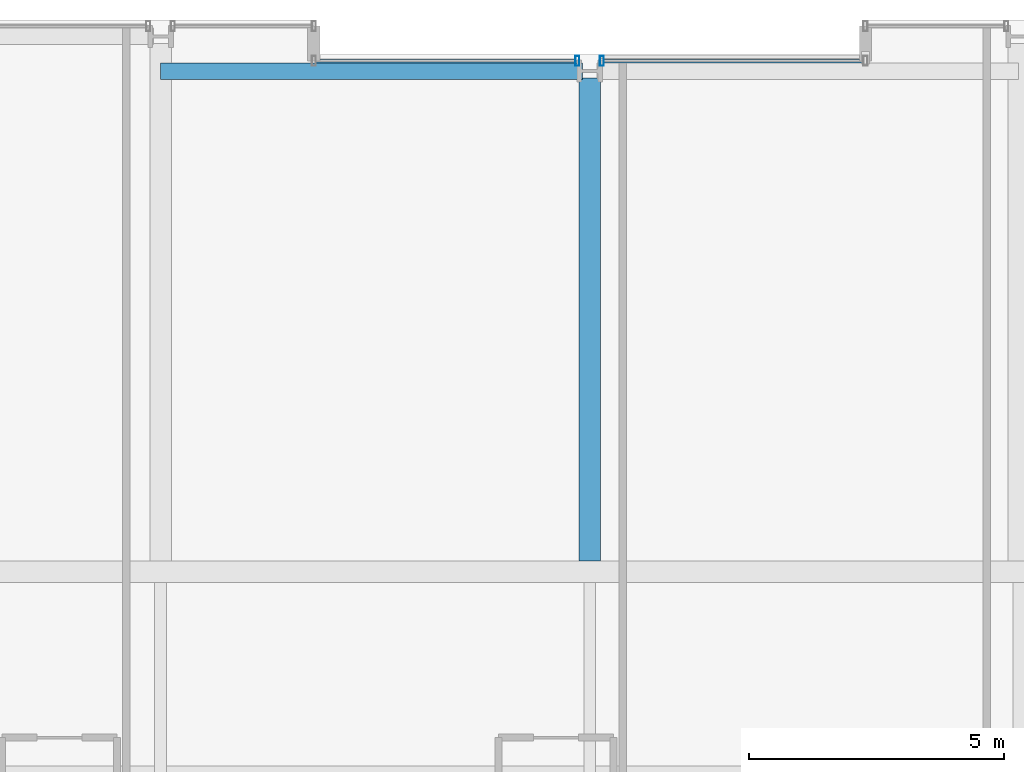
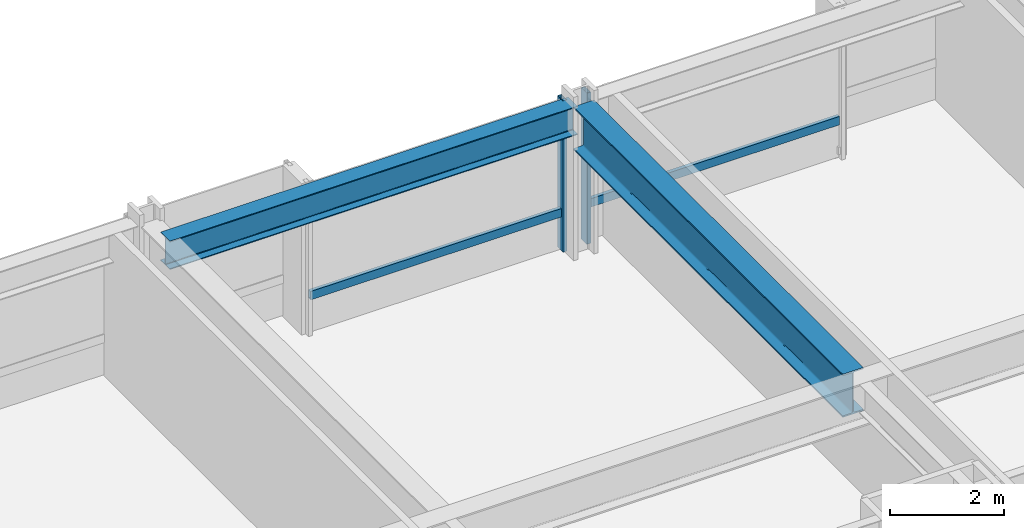
# One storey, part 23 of 38: 4 members, 2 beams, 2 elements without a shape of their own.
"""IFC4 building model written with IfcOpenShell, lengths in metres."""

from ifc_helpers import new_model, si_unit, direction, frame, origin, origin_2d, place, context, subcontext, project, spatial, hollow_rectangle, i_section, extrude, material, layer, layer_set, material_profile, profile_set, type_object, element, aggregate, save


model = new_model("IFC4")

# Units and contexts
model_context = context("Model", 3, precision=1e-05, world=origin(), true_north=direction((0.0, 1.0)))
body_context = subcontext(model_context, "Body", "Model", "MODEL_VIEW")
ifc_project = project(units=[si_unit("LENGTHUNIT", "METRE"), si_unit("AREAUNIT", "SQUARE_METRE"), si_unit("VOLUMEUNIT", "CUBIC_METRE"), si_unit("PLANEANGLEUNIT", "RADIAN"), si_unit("MASSUNIT", "GRAM", prefix="KILO")], contexts=[model_context])

# Site, building, storey
site_placement = place(None, origin())
site = spatial("IfcSite", under=ifc_project, at=site_placement, CompositionType="ELEMENT")
building_placement = place(site_placement, origin())
building = spatial("IfcBuilding", under=site, at=building_placement, Name="Drelvath Grand Hotel", CompositionType="ELEMENT")
storey_placement = place(building_placement, frame((0.0, 0.0, 50.699951171875)))
storey = spatial("IfcBuildingStorey", under=building, at=storey_placement, Name="L11", CompositionType="ELEMENT", Elevation=50.699951171875)

# Curtain wall, member
ifc_material_1 = material(Name="Warm Bronze Anodised Aluminium Frame", Category="aluminium")
ifc_layer = layer(ifc_material_1, 0.199951171875)
ifc_layer_set = layer_set([ifc_layer], Name="Warm Bronze Anodised Aluminium Frame")
curtain_wall_type = type_object("IfcCurtainWallType", Name="Stick Curtain Wall CW-02 Warm Bronze Low-Rise", PredefinedType="NOTDEFINED", material=ifc_layer_set)
curtain_wall_1_placement = place(storey_placement, origin())
curtain_wall_1 = element("IfcCurtainWall", 1, at=curtain_wall_1_placement, inside=storey, type_object=curtain_wall_type, Name="L11 CW-02 Curtain Wall CW02-L11-NM1", PredefinedType="NOTDEFINED")
ifc_material_profile_1 = material_profile(ifc_material_1, hollow_rectangle(XDim=0.074951171875, YDim=0.179931640625, WallThickness=0.0048828125, at=origin_2d()), Name="HSS180X75X5")
ifc_profile_set_1 = profile_set([ifc_material_profile_1], Name="Warm Bronze Anodised Aluminium Frame")
member_type_1 = type_object("IfcMemberType", Name="Curtain Wall Horizontal Transom CW-02 HSS180X75X5", PredefinedType="USERDEFINED", material=ifc_profile_set_1)
member_1_placement = place(storey_placement, frame((-5.360107421875, 53.199951171875, 0.81005859375), z_axis=(1.0, 0.0, 0.0), x_axis=(0.0, 1.0, 0.0)))
member_1 = element("IfcMember", 2, at=member_1_placement, type_object=member_type_1, Name="CW02-L11-NM1 Sill Transom", ObjectType="TRANSOM", PredefinedType="USERDEFINED", context=body_context, shape_type="SweptSolid", body=[
    extrude(hollow_rectangle(XDim=0.074951171875, YDim=0.179931640625, WallThickness=0.0048828125, at=origin_2d()), origin(), (0.0, 0.0, 1.0), 5.0791015625),
])

curtain_wall_2_placement = place(storey_placement, origin())
curtain_wall_2 = element("IfcCurtainWall", 3, at=curtain_wall_2_placement, inside=storey, type_object=curtain_wall_type, Name="L11 CW-02 Curtain Wall CW02-L11-NM2", PredefinedType="NOTDEFINED")
member_2_placement = place(storey_placement, frame((0.281005859375, 53.199951171875, 0.81005859375), z_axis=(1.0, 0.0, 0.0), x_axis=(0.0, 1.0, 0.0)))
member_2 = element("IfcMember", 4, at=member_2_placement, type_object=member_type_1, Name="CW02-L11-NM2 Sill Transom", ObjectType="TRANSOM", PredefinedType="USERDEFINED", context=body_context, shape_type="SweptSolid", body=[
    extrude(hollow_rectangle(XDim=0.074951171875, YDim=0.179931640625, WallThickness=0.0048828125, at=origin_2d()), origin(), (0.0, 0.0, 1.0), 5.0791015625),
])

# Member
ifc_material_profile_2 = material_profile(ifc_material_1, hollow_rectangle(XDim=0.080078125, YDim=0.199951171875, WallThickness=0.0048828125, at=origin_2d()), Name="HSS200X80X5")
ifc_profile_set_2 = profile_set([ifc_material_profile_2], Name="Warm Bronze Anodised Aluminium Frame")
member_type_2 = type_object("IfcMemberType", Name="Curtain Wall Vertical Mullion CW-02 HSS200X80X5", PredefinedType="MULLION", material=ifc_profile_set_2)
member_3_placement = place(storey_placement, frame((-0.240966796875, 53.199951171875, 0.0), z_axis=(0.0, 0.0, 1.0), x_axis=(1.0, 0.0, 0.0)))
member_3 = element("IfcMember", 5, at=member_3_placement, type_object=member_type_2, Name="CW02-L11-NM1 Mullion 2", PredefinedType="MULLION", context=body_context, shape_type="SweptSolid", body=[
    extrude(hollow_rectangle(XDim=0.080078125, YDim=0.199951171875, WallThickness=0.0048828125, at=origin_2d()), origin(), (0.0, 0.0, 1.0), 3.239990234375),
])

aggregate(curtain_wall_1, [member_3, member_1])

member_4_placement = place(storey_placement, frame((0.240966796875, 53.199951171875, 0.0), z_axis=(0.0, 0.0, 1.0), x_axis=(1.0, 0.0, 0.0)))
member_4 = element("IfcMember", 6, at=member_4_placement, type_object=member_type_2, Name="CW02-L11-NM2 Mullion 1", PredefinedType="MULLION", context=body_context, shape_type="SweptSolid", body=[
    extrude(hollow_rectangle(XDim=0.080078125, YDim=0.199951171875, WallThickness=0.0048828125, at=origin_2d()), origin(), (0.0, 0.0, 1.0), 3.239990234375),
])

aggregate(curtain_wall_2, [member_4, member_2])

# Beams
ifc_material_2 = material(Name="Steel ASTM A992 Gr 50", Category="steel")
ifc_material_profile_3 = material_profile(ifc_material_2, i_section(OverallWidth=0.323974609375, OverallDepth=0.611083984375, WebThickness=0.0126953125, FlangeThickness=0.01904296875, FilletRadius=0.02197265625, at=origin_2d()), Name="W24X104")
ifc_profile_set_3 = profile_set([ifc_material_profile_3], Name="Steel ASTM A992 Gr 50")
beam_type_1 = type_object("IfcBeamType", Name="Perimeter Spandrel Beam W24X104", PredefinedType="SPANDREL", material=ifc_profile_set_3)
beam_1_placement = place(storey_placement, frame((-8.39990234375, 53.0, 2.9345703125), z_axis=(1.0, 0.0, 0.0), x_axis=(0.0, 1.0, 0.0)))
element("IfcBeam", 7, at=beam_1_placement, inside=storey, type_object=beam_type_1, Name="L11 Spandrel North Mid W", PredefinedType="SPANDREL", context=body_context, shape_type="SweptSolid", body=[
    extrude(i_section(OverallWidth=0.323974609375, OverallDepth=0.611083984375, WebThickness=0.0126953125, FlangeThickness=0.01904296875, FilletRadius=0.02197265625, at=origin_2d()), origin(), (0.0, 0.0, 1.0), 8.260009765625),
])
ifc_material_profile_4 = material_profile(ifc_material_2, i_section(OverallWidth=0.418212890625, OverallDepth=0.926513671875, WebThickness=0.019287109375, FlangeThickness=0.031982421875, FilletRadius=0.028076171875, at=origin_2d()), Name="W36X231")
ifc_profile_set_4 = profile_set([ifc_material_profile_4], Name="Steel ASTM A992 Gr 50")
beam_type_2 = type_object("IfcBeamType", Name="Primary Floor Girder W36X231", PredefinedType="BEAM", material=ifc_profile_set_4)
beam_2_placement = place(storey_placement, frame((0.0, 43.4091796875, 2.77685546875), z_axis=(0.0, 1.0, 0.0), x_axis=(-1.0, 0.0, 0.0)))
element("IfcBeam", 8, at=beam_2_placement, inside=storey, type_object=beam_type_2, Name="L11 North Wing Girder 5", PredefinedType="BEAM", context=body_context, shape_type="SweptSolid", body=[
    extrude(i_section(OverallWidth=0.418212890625, OverallDepth=0.926513671875, WebThickness=0.019287109375, FlangeThickness=0.031982421875, FilletRadius=0.028076171875, at=origin_2d()), origin(), (0.0, 0.0, 1.0), 9.450927734375),
])

save(model, "model.ifc")
